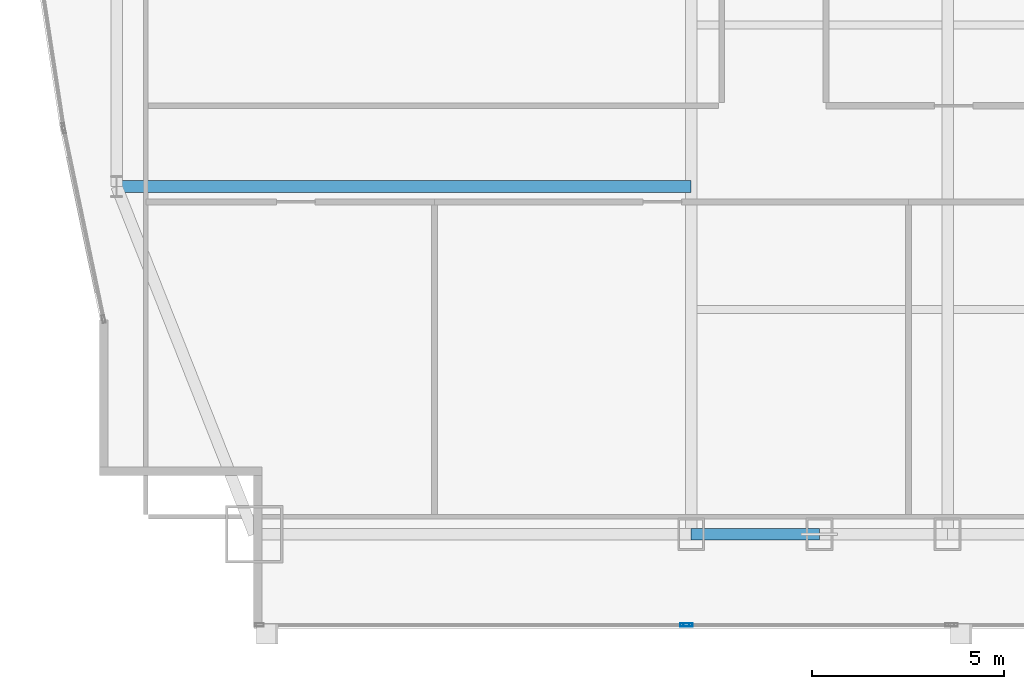
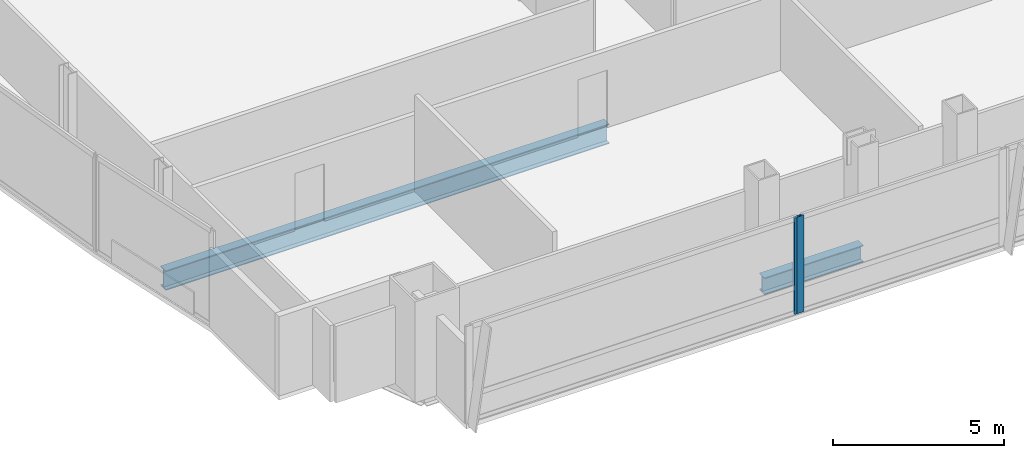
# One storey, part 7 of 33: 2 beams, 2 members, 2 elements without a shape of their own.
"""IFC4 building model written with IfcOpenShell, lengths in metres."""

from ifc_helpers import new_model, si_unit, direction, frame, origin, origin_2d, place, context, subcontext, project, spatial, hollow_rectangle, i_section, extrude, material, material_profile, profile_set, type_object, element, aggregate, save


model = new_model("IFC4")

# Units and contexts
model_context = context("Model", 3, precision=1e-05, world=origin(), true_north=direction((0.0, 1.0)))
body_context = subcontext(model_context, "Body", "Model", "MODEL_VIEW")
ifc_project = project(units=[si_unit("LENGTHUNIT", "METRE"), si_unit("AREAUNIT", "SQUARE_METRE"), si_unit("VOLUMEUNIT", "CUBIC_METRE"), si_unit("PLANEANGLEUNIT", "RADIAN"), si_unit("MASSUNIT", "GRAM", prefix="KILO")], contexts=[model_context])

# Site, building, storey
site_placement = place(None, origin())
site = spatial("IfcSite", under=ifc_project, at=site_placement, CompositionType="ELEMENT")
building_placement = place(site_placement, origin())
building = spatial("IfcBuilding", under=site, at=building_placement, Name="Khoronbel Lancet Exchange", CompositionType="ELEMENT")
storey_placement = place(building_placement, frame((0.0, 0.0, 114.60009765625)))
storey = spatial("IfcBuildingStorey", under=building, at=storey_placement, Name="L27", CompositionType="ELEMENT", Elevation=114.60009765625)

# Beams
ifc_material_1 = material(Name="Steel S355", Category="steel")
ifc_material_profile_1 = material_profile(ifc_material_1, i_section(OverallWidth=0.300048828125, OverallDepth=0.699951171875, WebThickness=0.01708984375, FlangeThickness=0.031982421875, at=origin_2d()), Name="HEB 700")
ifc_profile_set_1 = profile_set([ifc_material_profile_1], Name="Steel S355")
beam_type_1 = type_object("IfcBeamType", Name="BM-BG3", PredefinedType="BEAM", material=ifc_profile_set_1)
beam_1_placement = place(storey_placement, frame((3.27001953125, 19.199951171875, -0.510009765625), z_axis=(1.0, 0.0, 0.0), x_axis=(0.0, 1.0, 0.0)))
element("IfcBeam", 1, at=beam_1_placement, inside=storey, type_object=beam_type_1, Name="Level L27 west lens tie girder LG1W", PredefinedType="BEAM", context=body_context, shape_type="SweptSolid", body=[
    extrude(i_section(OverallWidth=0.300048828125, OverallDepth=0.699951171875, WebThickness=0.01708984375, FlangeThickness=0.031982421875, at=origin_2d()), origin(), (0.0, 0.0, 1.0), 14.955078125),
])
ifc_material_profile_2 = material_profile(ifc_material_1, i_section(OverallWidth=0.300048828125, OverallDepth=0.60009765625, WebThickness=0.015380859375, FlangeThickness=0.030029296875, at=origin_2d()), Name="HEB 600")
ifc_profile_set_2 = profile_set([ifc_material_profile_2], Name="Steel S355")
beam_type_2 = type_object("IfcBeamType", Name="BM-BSP2", PredefinedType="SPANDREL", material=ifc_profile_set_2)
beam_2_placement = place(storey_placement, frame((18.22509765625, 10.14990234375, -0.460205078125), z_axis=(1.0, 0.0, 0.0), x_axis=(0.0, 1.0, 0.0)))
element("IfcBeam", 2, at=beam_2_placement, inside=storey, type_object=beam_type_2, Name="Level L27 perimeter spandrel beam SP02", PredefinedType="SPANDREL", context=body_context, shape_type="SweptSolid", body=[
    extrude(i_section(OverallWidth=0.300048828125, OverallDepth=0.60009765625, WebThickness=0.015380859375, FlangeThickness=0.030029296875, at=origin_2d()), origin(), (0.0, 0.0, 1.0), 3.33740234375),
])

# Curtain wall, member
ifc_material_2 = material(Name="Low-E Solar Control Insulating Glass", Category="glass")
curtain_wall_type = type_object("IfcCurtainWallType", Name="CW-2", PredefinedType="NOTDEFINED", material=ifc_material_2)
curtain_wall_1_placement = place(storey_placement, origin())
curtain_wall_1 = element("IfcCurtainWall", 3, at=curtain_wall_1_placement, inside=storey, type_object=curtain_wall_type, Name="Unitised curtain wall CW-L27-SWV", PredefinedType="NOTDEFINED")
ifc_material_3 = material(Name="Bronze-Anodised Aluminium 6063-T6", Category="aluminium")
ifc_material_profile_3 = material_profile(ifc_material_3, hollow_rectangle(XDim=0.0849609375, YDim=0.239990234375, WallThickness=0.006103515625, at=origin_2d()), Name="ALU MULLION 85x240")
ifc_profile_set_3 = profile_set([ifc_material_profile_3], Name="Bronze-Anodised Aluminium 6063-T6")
member_type = type_object("IfcMemberType", Name="MEM-CWM1", PredefinedType="MULLION", material=ifc_profile_set_3)
member_1_placement = place(storey_placement, frame((18.0576171875, 7.7900390625, 0.0), z_axis=(0.0, 0.0, 1.0), x_axis=(0.0, 1.0, 0.0)))
member_1 = element("IfcMember", 4, at=member_1_placement, type_object=member_type, Name="CW2 mullion 2", PredefinedType="MULLION", context=body_context, shape_type="SweptSolid", body=[
    extrude(hollow_rectangle(XDim=0.0849609375, YDim=0.239990234375, WallThickness=0.006103515625, at=origin_2d()), origin(), (0.0, 0.0, 1.0), 3.43994140625),
])
aggregate(curtain_wall_1, [member_1])

curtain_wall_2_placement = place(storey_placement, origin())
curtain_wall_2 = element("IfcCurtainWall", 5, at=curtain_wall_2_placement, inside=storey, type_object=curtain_wall_type, Name="Unitised curtain wall CW-L27-SWB", PredefinedType="NOTDEFINED")
member_2_placement = place(storey_placement, frame((18.142578125, 7.7900390625, 0.0), z_axis=(0.0, 0.0, 1.0), x_axis=(0.0, 1.0, 0.0)))
member_2 = element("IfcMember", 6, at=member_2_placement, type_object=member_type, Name="CW2 mullion 1", PredefinedType="MULLION", context=body_context, shape_type="SweptSolid", body=[
    extrude(hollow_rectangle(XDim=0.0849609375, YDim=0.239990234375, WallThickness=0.006103515625, at=origin_2d()), origin(), (0.0, 0.0, 1.0), 3.43994140625),
])
aggregate(curtain_wall_2, [member_2])

save(model, "model.ifc")
